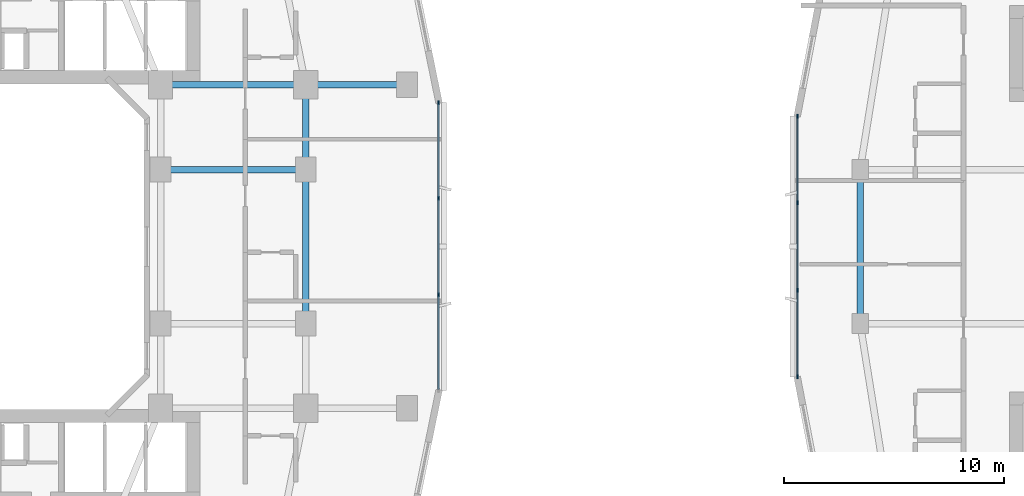
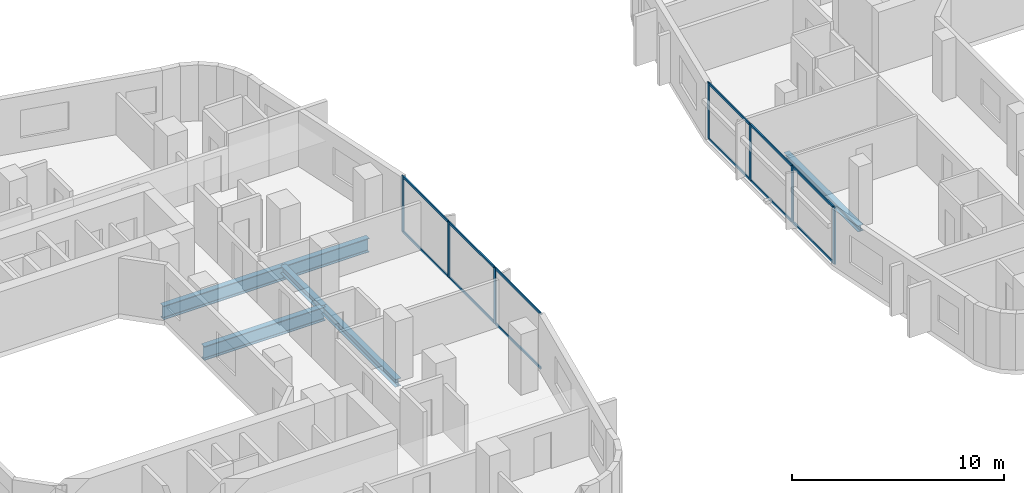
# One storey, part 5 of 27: 19 members, 6 beams, 2 elements without a shape of their own.
"""IFC4 building model written with IfcOpenShell, lengths in metres."""

from ifc_helpers import new_model, si_unit, derived_unit, direction, frame, origin, origin_2d, place, context, subcontext, project, spatial, rectangle, i_section, extrude, material, layer, layer_set, material_profile, profile_set, type_object, element, aggregate, save


model = new_model("IFC4")

# Units and contexts
model_context = context("Model", 3, precision=1e-05, world=origin(), true_north=direction((0.0, 1.0)))
body_context = subcontext(model_context, "Body", "Model", "MODEL_VIEW")
ifc_project = project(units=[si_unit("LENGTHUNIT", "METRE"), si_unit("AREAUNIT", "SQUARE_METRE"), si_unit("VOLUMEUNIT", "CUBIC_METRE"), si_unit("PLANEANGLEUNIT", "RADIAN"), si_unit("MASSUNIT", "GRAM", prefix="KILO"), derived_unit("THERMALTRANSMITTANCEUNIT", [(si_unit("POWERUNIT", "WATT"), 1), (si_unit("LENGTHUNIT", "METRE"), -2), (si_unit("THERMODYNAMICTEMPERATUREUNIT", "KELVIN"), -1)])], contexts=[model_context])

# Site, building, storey
site_placement = place(None, origin())
site = spatial("IfcSite", under=ifc_project, at=site_placement, CompositionType="ELEMENT")
building_placement = place(site_placement, origin())
building = spatial("IfcBuilding", under=site, at=building_placement, Name="Kivonza Crest Hotel", CompositionType="ELEMENT")
storey_placement = place(building_placement, frame((0.0, 0.0, 34.5)))
storey = spatial("IfcBuildingStorey", under=building, at=storey_placement, Name="L08", CompositionType="ELEMENT", Elevation=34.5)

# Beams
ifc_material_1 = material(Name="Steel S355", Category="steel")
ifc_material_profile_1 = material_profile(ifc_material_1, i_section(OverallWidth=0.300048828125, OverallDepth=0.360107421875, WebThickness=0.012451171875, FlangeThickness=0.0224609375, FilletRadius=0.027099609375, at=origin_2d()), Name="HEB 360")
ifc_profile_set_1 = profile_set([ifc_material_profile_1], Name="Steel S355")
beam_type_1 = type_object("IfcBeamType", Name="BM-HEB360", PredefinedType="SPANDREL", material=ifc_profile_set_1)
beam_1_placement = place(storey_placement, frame((61.0, 28.5, -0.429931640625), z_axis=(0.0, -1.0, 0.0), x_axis=(1.0, 0.0, 0.0)))
element("IfcBeam", 1, at=beam_1_placement, inside=storey, type_object=beam_type_1, Name="Companion Tower T2 L08 perimeter spandrel W2-W1", PredefinedType="SPANDREL", context=body_context, shape_type="SweptSolid", body=[
    extrude(i_section(OverallWidth=0.300048828125, OverallDepth=0.360107421875, WebThickness=0.012451171875, FlangeThickness=0.0224609375, FilletRadius=0.027099609375, at=origin_2d()), origin(), (0.0, 0.0, 1.0), 7.0),
])
ifc_material_profile_2 = material_profile(ifc_material_1, i_section(OverallWidth=0.300048828125, OverallDepth=0.449951171875, WebThickness=0.013916015625, FlangeThickness=0.02587890625, FilletRadius=0.027099609375, at=origin_2d()), Name="HEB 450")
ifc_profile_set_2 = profile_set([ifc_material_profile_2], Name="Steel S355")
beam_type_2 = type_object("IfcBeamType", Name="BM-HEB450", PredefinedType="SPANDREL", material=ifc_profile_set_2)
beam_2_placement = place(storey_placement, frame((35.800048828125, 21.5, -0.5048828125), z_axis=(0.0, 1.0, 0.0), x_axis=(-1.0, 0.0, 0.0)))
element("IfcBeam", 2, at=beam_2_placement, inside=storey, type_object=beam_type_2, Name="Tower T1 L08 perimeter spandrel E1-E2", PredefinedType="SPANDREL", context=body_context, shape_type="SweptSolid", body=[
    extrude(i_section(OverallWidth=0.300048828125, OverallDepth=0.449951171875, WebThickness=0.013916015625, FlangeThickness=0.02587890625, FilletRadius=0.027099609375, at=origin_2d()), origin(), (0.0, 0.0, 1.0), 7.0),
])
beam_3_placement = place(storey_placement, frame((35.800048828125, 28.5, -0.5048828125), z_axis=(0.0, 1.0, 0.0), x_axis=(-1.0, 0.0, 0.0)))
element("IfcBeam", 3, at=beam_3_placement, inside=storey, type_object=beam_type_2, Name="Tower T1 L08 perimeter spandrel E2-PNE", PredefinedType="SPANDREL", context=body_context, shape_type="SweptSolid", body=[
    extrude(i_section(OverallWidth=0.300048828125, OverallDepth=0.449951171875, WebThickness=0.013916015625, FlangeThickness=0.02587890625, FilletRadius=0.027099609375, at=origin_2d()), origin(), (0.0, 0.0, 1.0), 3.85009765625),
])
ifc_material_profile_3 = material_profile(ifc_material_1, i_section(OverallWidth=0.300048828125, OverallDepth=0.800048828125, WebThickness=0.017578125, FlangeThickness=0.032958984375, FilletRadius=0.030029296875, at=origin_2d()), Name="HEB 800")
ifc_profile_set_3 = profile_set([ifc_material_profile_3], Name="Steel S355")
beam_type_3 = type_object("IfcBeamType", Name="BM-HEB800", PredefinedType="BEAM", material=ifc_profile_set_3)
for number, where, z_axis, x_axis, name in (
    (4, (29.199951171875, 32.35009765625, -0.679931640625), (1.0, 0.0, 0.0), (0.0, 1.0, 0.0), "Tower T1 L08 primary girder TNE-PNE"),
    (5, (29.199951171875, 28.5, -0.679931640625), (1.0, 0.0, 0.0), (0.0, 1.0, 0.0), "Tower T1 L08 primary girder WR2-E2"),
):
    element("IfcBeam", number, at=place(storey_placement, frame(where, z_axis=z_axis, x_axis=x_axis)), inside=storey, type_object=beam_type_3, Name=name, PredefinedType="BEAM", context=body_context, shape_type="SweptSolid", body=[
        extrude(i_section(OverallWidth=0.300048828125, OverallDepth=0.800048828125, WebThickness=0.017578125, FlangeThickness=0.032958984375, FilletRadius=0.030029296875, at=origin_2d()), origin(), (0.0, 0.0, 1.0), 6.60009765625),
    ])
beam_4_placement = place(storey_placement, frame((40.39990234375, 32.35009765625, -0.679931640625), z_axis=(-1.0, 0.0, 0.0), x_axis=(0.0, -1.0, 0.0)))
element("IfcBeam", 6, at=beam_4_placement, inside=storey, type_object=beam_type_3, Name="Tower T1 L08 outer bay girder ZE2", PredefinedType="BEAM", context=body_context, shape_type="SweptSolid", body=[
    extrude(i_section(OverallWidth=0.300048828125, OverallDepth=0.800048828125, WebThickness=0.017578125, FlangeThickness=0.032958984375, FilletRadius=0.030029296875, at=origin_2d()), origin(), (0.0, 0.0, 1.0), 4.599853515625),
])

# Curtain wall, members
ifc_material_2 = material(Name="Anodised bronze aluminium and low-E double glazing", Category="aluminium")
ifc_layer_1 = layer(ifc_material_2, 0.179931640625)
ifc_layer_set_1 = layer_set([ifc_layer_1], Name="Anodised bronze aluminium and low-E double glazing")
curtain_wall_type_1 = type_object("IfcCurtainWallType", Name="CW-SYS-2", PredefinedType="NOTDEFINED", material=ifc_layer_set_1)
curtain_wall_1_placement = place(storey_placement, origin())
curtain_wall_1 = element("IfcCurtainWall", 7, at=curtain_wall_1_placement, inside=storey, type_object=curtain_wall_type_1, Name="L08 unitised curtain wall CW-T1-L08-17", PredefinedType="NOTDEFINED")
ifc_material_3 = material(Name="Anodised bronze aluminium", Category="aluminium")
ifc_material_profile_4 = material_profile(ifc_material_3, rectangle(XDim=0.06494140625, YDim=0.179931640625, at=origin_2d()), Name="CW-M 65x180")
ifc_profile_set_4 = profile_set([ifc_material_profile_4], Name="Anodised bronze aluminium")
member_type_1 = type_object("IfcMemberType", Name="CW-MUL-65x180", PredefinedType="MULLION", material=ifc_profile_set_4)
member_1_placement = place(storey_placement, frame((41.840087890625, 22.813232421875, 0.0), z_axis=(0.0, 0.0, 1.0), x_axis=(-1.0, 0.0, 0.0)))
member_1 = element("IfcMember", 8, at=member_1_placement, type_object=member_type_1, Name="CW-2 mullion 2", PredefinedType="MULLION", context=body_context, shape_type="SweptSolid", body=[
    extrude(rectangle(XDim=0.06494140625, YDim=0.179931640625, at=origin_2d()), origin(), (0.0, 0.0, 1.0), 3.219970703125),
])
member_2_placement = place(storey_placement, frame((41.840087890625, 27.186767578125, 0.0), z_axis=(0.0, 0.0, 1.0), x_axis=(-1.0, 0.0, 0.0)))
member_2 = element("IfcMember", 9, at=member_2_placement, type_object=member_type_1, Name="CW-2 mullion 3", PredefinedType="MULLION", context=body_context, shape_type="SweptSolid", body=[
    extrude(rectangle(XDim=0.06494140625, YDim=0.179931640625, at=origin_2d()), origin(), (0.0, 0.0, 1.0), 3.219970703125),
])
member_3_placement = place(storey_placement, frame((41.840087890625, 31.527587890625, 0.0), z_axis=(0.0, 0.0, 1.0), x_axis=(-1.0, 0.0, 0.0)))
member_3 = element("IfcMember", 10, at=member_3_placement, type_object=member_type_1, Name="CW-2 mullion 4", PredefinedType="MULLION", context=body_context, shape_type="SweptSolid", body=[
    extrude(rectangle(XDim=0.06494140625, YDim=0.179931640625, at=origin_2d()), origin(), (0.0, 0.0, 1.0), 3.219970703125),
])

ifc_layer_2 = layer(ifc_material_2, 0.179931640625)
ifc_layer_set_2 = layer_set([ifc_layer_2], Name="Anodised bronze aluminium and low-E double glazing")
curtain_wall_type_2 = type_object("IfcCurtainWallType", Name="CW-SYS-4", PredefinedType="NOTDEFINED", material=ifc_layer_set_2)
curtain_wall_2_placement = place(storey_placement, origin())
curtain_wall_2 = element("IfcCurtainWall", 11, at=curtain_wall_2_placement, inside=storey, type_object=curtain_wall_type_2, Name="L08 unitised curtain wall CW-T2-L08-35", PredefinedType="NOTDEFINED")
member_4_placement = place(storey_placement, frame((58.159912109375, 30.927490234375, 0.0), z_axis=(0.0, 0.0, 1.0), x_axis=(1.0, 0.0, 0.0)))
member_4 = element("IfcMember", 12, at=member_4_placement, type_object=member_type_1, Name="CW-4 mullion 1", PredefinedType="MULLION", context=body_context, shape_type="SweptSolid", body=[
    extrude(rectangle(XDim=0.06494140625, YDim=0.179931640625, at=origin_2d()), origin(), (0.0, 0.0, 1.0), 3.25),
])
member_5_placement = place(storey_placement, frame((58.159912109375, 26.986572265625, 0.0), z_axis=(0.0, 0.0, 1.0), x_axis=(1.0, 0.0, 0.0)))
member_5 = element("IfcMember", 13, at=member_5_placement, type_object=member_type_1, Name="CW-4 mullion 2", PredefinedType="MULLION", context=body_context, shape_type="SweptSolid", body=[
    extrude(rectangle(XDim=0.06494140625, YDim=0.179931640625, at=origin_2d()), origin(), (0.0, 0.0, 1.0), 3.25),
])
member_6_placement = place(storey_placement, frame((58.159912109375, 23.013427734375, 0.0), z_axis=(0.0, 0.0, 1.0), x_axis=(1.0, 0.0, 0.0)))
member_6 = element("IfcMember", 14, at=member_6_placement, type_object=member_type_1, Name="CW-4 mullion 3", PredefinedType="MULLION", context=body_context, shape_type="SweptSolid", body=[
    extrude(rectangle(XDim=0.06494140625, YDim=0.179931640625, at=origin_2d()), origin(), (0.0, 0.0, 1.0), 3.25),
])
member_7_placement = place(storey_placement, frame((58.159912109375, 19.072509765625, 0.0), z_axis=(0.0, 0.0, 1.0), x_axis=(1.0, 0.0, 0.0)))
member_7 = element("IfcMember", 15, at=member_7_placement, type_object=member_type_1, Name="CW-4 mullion 4", PredefinedType="MULLION", context=body_context, shape_type="SweptSolid", body=[
    extrude(rectangle(XDim=0.06494140625, YDim=0.179931640625, at=origin_2d()), origin(), (0.0, 0.0, 1.0), 3.25),
])

# Member
ifc_material_profile_5 = material_profile(ifc_material_3, rectangle(XDim=0.06494140625, YDim=0.139892578125, at=origin_2d()), Name="CW-T 65x140")
ifc_profile_set_5 = profile_set([ifc_material_profile_5], Name="Anodised bronze aluminium")
member_type_2 = type_object("IfcMemberType", Name="CW-TRN-65x140", PredefinedType="USERDEFINED", material=ifc_profile_set_5)
member_8_placement = place(storey_placement, frame((41.840087890625, 18.5048828125, 0.032470703125), z_axis=(0.0, 1.0, 0.0), x_axis=(-1.0, 0.0, 0.0)))
member_8 = element("IfcMember", 16, at=member_8_placement, type_object=member_type_2, Name="CW-2 transom 1.1", ObjectType="TRANSOM", PredefinedType="USERDEFINED", context=body_context, shape_type="SweptSolid", body=[
    extrude(rectangle(XDim=0.06494140625, YDim=0.139892578125, at=origin_2d()), origin(), (0.0, 0.0, 1.0), 4.27587890625),
])

member_9_placement = place(storey_placement, frame((41.840087890625, 18.5048828125, 3.1875), z_axis=(0.0, 1.0, 0.0), x_axis=(-1.0, 0.0, 0.0)))
member_9 = element("IfcMember", 17, at=member_9_placement, type_object=member_type_2, Name="CW-2 transom 1.2", ObjectType="TRANSOM", PredefinedType="USERDEFINED", context=body_context, shape_type="SweptSolid", body=[
    extrude(rectangle(XDim=0.06494140625, YDim=0.139892578125, at=origin_2d()), origin(), (0.0, 0.0, 1.0), 4.27587890625),
])

member_10_placement = place(storey_placement, frame((41.840087890625, 22.845947265625, 0.032470703125), z_axis=(0.0, 1.0, 0.0), x_axis=(-1.0, 0.0, 0.0)))
member_10 = element("IfcMember", 18, at=member_10_placement, type_object=member_type_2, Name="CW-2 transom 2.1", ObjectType="TRANSOM", PredefinedType="USERDEFINED", context=body_context, shape_type="SweptSolid", body=[
    extrude(rectangle(XDim=0.06494140625, YDim=0.139892578125, at=origin_2d()), origin(), (0.0, 0.0, 1.0), 4.30810546875),
])

member_11_placement = place(storey_placement, frame((41.840087890625, 22.845947265625, 3.1875), z_axis=(0.0, 1.0, 0.0), x_axis=(-1.0, 0.0, 0.0)))
member_11 = element("IfcMember", 19, at=member_11_placement, type_object=member_type_2, Name="CW-2 transom 2.2", ObjectType="TRANSOM", PredefinedType="USERDEFINED", context=body_context, shape_type="SweptSolid", body=[
    extrude(rectangle(XDim=0.06494140625, YDim=0.139892578125, at=origin_2d()), origin(), (0.0, 0.0, 1.0), 4.30810546875),
])

member_12_placement = place(storey_placement, frame((41.840087890625, 27.21923828125, 0.032470703125), z_axis=(0.0, 1.0, 0.0), x_axis=(-1.0, 0.0, 0.0)))
member_12 = element("IfcMember", 20, at=member_12_placement, type_object=member_type_2, Name="CW-2 transom 3.1", ObjectType="TRANSOM", PredefinedType="USERDEFINED", context=body_context, shape_type="SweptSolid", body=[
    extrude(rectangle(XDim=0.06494140625, YDim=0.139892578125, at=origin_2d()), origin(), (0.0, 0.0, 1.0), 4.27587890625),
])

member_13_placement = place(storey_placement, frame((41.840087890625, 27.21923828125, 3.1875), z_axis=(0.0, 1.0, 0.0), x_axis=(-1.0, 0.0, 0.0)))
member_13 = element("IfcMember", 21, at=member_13_placement, type_object=member_type_2, Name="CW-2 transom 3.2", ObjectType="TRANSOM", PredefinedType="USERDEFINED", context=body_context, shape_type="SweptSolid", body=[
    extrude(rectangle(XDim=0.06494140625, YDim=0.139892578125, at=origin_2d()), origin(), (0.0, 0.0, 1.0), 4.27587890625),
])

aggregate(curtain_wall_1, [member_1, member_2, member_3, member_8, member_9, member_10, member_11, member_12, member_13])

member_14_placement = place(storey_placement, frame((58.159912109375, 30.89501953125, 0.032470703125), z_axis=(0.0, -1.0, 0.0), x_axis=(1.0, 0.0, 0.0)))
member_14 = element("IfcMember", 22, at=member_14_placement, type_object=member_type_2, Name="CW-4 transom 1.1", ObjectType="TRANSOM", PredefinedType="USERDEFINED", context=body_context, shape_type="SweptSolid", body=[
    extrude(rectangle(XDim=0.06494140625, YDim=0.139892578125, at=origin_2d()), origin(), (0.0, 0.0, 1.0), 3.875732421875),
])

member_15_placement = place(storey_placement, frame((58.159912109375, 30.89501953125, 3.217529296875), z_axis=(0.0, -1.0, 0.0), x_axis=(1.0, 0.0, 0.0)))
member_15 = element("IfcMember", 23, at=member_15_placement, type_object=member_type_2, Name="CW-4 transom 1.2", ObjectType="TRANSOM", PredefinedType="USERDEFINED", context=body_context, shape_type="SweptSolid", body=[
    extrude(rectangle(XDim=0.06494140625, YDim=0.139892578125, at=origin_2d()), origin(), (0.0, 0.0, 1.0), 3.875732421875),
])

member_16_placement = place(storey_placement, frame((58.159912109375, 26.9541015625, 0.032470703125), z_axis=(0.0, -1.0, 0.0), x_axis=(1.0, 0.0, 0.0)))
member_16 = element("IfcMember", 24, at=member_16_placement, type_object=member_type_2, Name="CW-4 transom 2.1", ObjectType="TRANSOM", PredefinedType="USERDEFINED", context=body_context, shape_type="SweptSolid", body=[
    extrude(rectangle(XDim=0.06494140625, YDim=0.139892578125, at=origin_2d()), origin(), (0.0, 0.0, 1.0), 3.908203125),
])

member_17_placement = place(storey_placement, frame((58.159912109375, 26.9541015625, 3.217529296875), z_axis=(0.0, -1.0, 0.0), x_axis=(1.0, 0.0, 0.0)))
member_17 = element("IfcMember", 25, at=member_17_placement, type_object=member_type_2, Name="CW-4 transom 2.2", ObjectType="TRANSOM", PredefinedType="USERDEFINED", context=body_context, shape_type="SweptSolid", body=[
    extrude(rectangle(XDim=0.06494140625, YDim=0.139892578125, at=origin_2d()), origin(), (0.0, 0.0, 1.0), 3.908203125),
])

member_18_placement = place(storey_placement, frame((58.159912109375, 22.980712890625, 0.032470703125), z_axis=(0.0, -1.0, 0.0), x_axis=(1.0, 0.0, 0.0)))
member_18 = element("IfcMember", 26, at=member_18_placement, type_object=member_type_2, Name="CW-4 transom 3.1", ObjectType="TRANSOM", PredefinedType="USERDEFINED", context=body_context, shape_type="SweptSolid", body=[
    extrude(rectangle(XDim=0.06494140625, YDim=0.139892578125, at=origin_2d()), origin(), (0.0, 0.0, 1.0), 3.875732421875),
])

member_19_placement = place(storey_placement, frame((58.159912109375, 22.980712890625, 3.217529296875), z_axis=(0.0, -1.0, 0.0), x_axis=(1.0, 0.0, 0.0)))
member_19 = element("IfcMember", 27, at=member_19_placement, type_object=member_type_2, Name="CW-4 transom 3.2", ObjectType="TRANSOM", PredefinedType="USERDEFINED", context=body_context, shape_type="SweptSolid", body=[
    extrude(rectangle(XDim=0.06494140625, YDim=0.139892578125, at=origin_2d()), origin(), (0.0, 0.0, 1.0), 3.875732421875),
])

aggregate(curtain_wall_2, [member_4, member_5, member_6, member_7, member_14, member_15, member_16, member_17, member_18, member_19])

save(model, "model.ifc")
